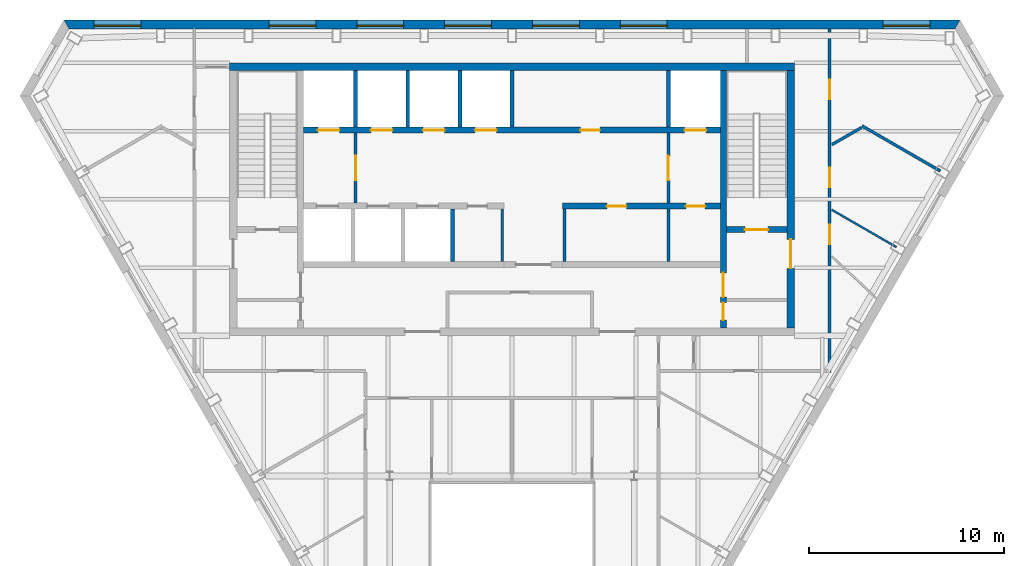
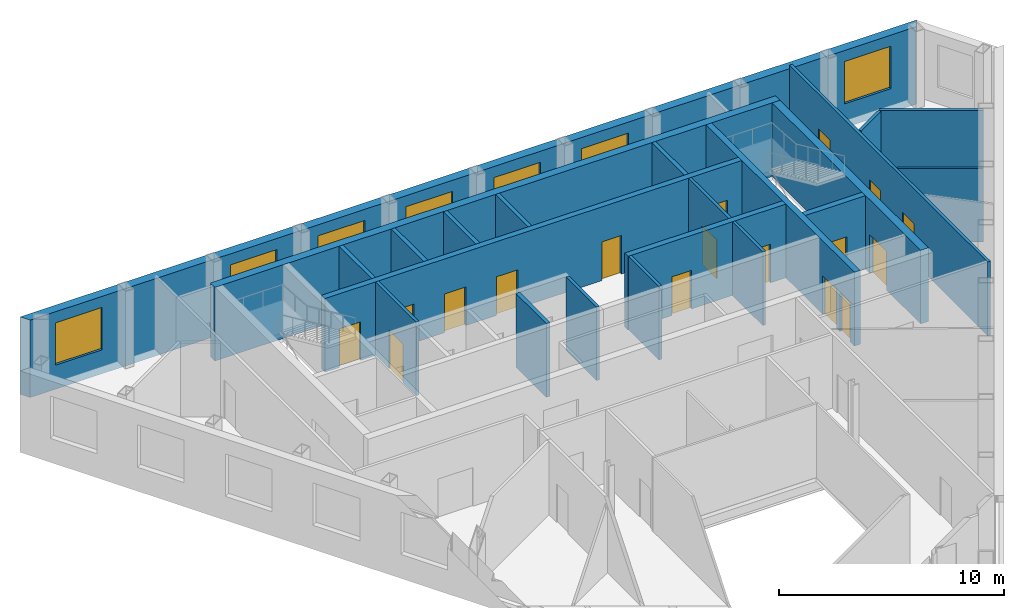
# One storey, part 7 of 11: 22 walls, 17 doors, 7 windows, 24 openings.
"""IFC4 building model written with IfcOpenShell, lengths in metres."""

from ifc_helpers import new_model, si_unit, direction, frame, frame_2d, origin, place, context, subcontext, project, spatial, polyline, rectangle, outline, extrude, material, layer, layer_set, type_object, element, fill, save


model = new_model("IFC4")

# Units and contexts
model_context = context("Model", 3, precision=1e-05, world=origin(), true_north=direction((0.0, 1.0)))
body_context = subcontext(model_context, "Body", "Model", "MODEL_VIEW")
ifc_project = project(units=[si_unit("LENGTHUNIT", "METRE"), si_unit("AREAUNIT", "SQUARE_METRE"), si_unit("VOLUMEUNIT", "CUBIC_METRE"), si_unit("PLANEANGLEUNIT", "RADIAN"), si_unit("MASSUNIT", "GRAM", prefix="KILO")], contexts=[model_context])

# Site, building, storey
site_placement = place(None, origin())
site = spatial("IfcSite", under=ifc_project, at=site_placement, CompositionType="ELEMENT")
building_placement = place(site_placement, origin())
building = spatial("IfcBuilding", under=site, at=building_placement, Name="Njiva Tower", CompositionType="ELEMENT")
storey_placement = place(building_placement, frame((0.0, 0.0, 316.8)))
storey = spatial("IfcBuildingStorey", under=building, at=storey_placement, Name="L72", CompositionType="ELEMENT", Elevation=316.8)

# Walls
ifc_material_1 = material(Name="Blockwork", Category="masonry")
ifc_layer_1 = layer(ifc_material_1, 0.15)
ifc_layer_set_1 = layer_set([ifc_layer_1], Name="Blockwork")
wall_type_1 = type_object("IfcWallType", Name="WT1 Compartment partition 150", PredefinedType="PARTITIONING", material=ifc_layer_set_1)
for number, where, z_axis, x_axis, name in (
    (1, (-0.5, 7.8, 0.0), (0.0, 0.0, 1.0), (0.0, 1.0, 0.0), "Partition CS4"),
    (2, (2.7, 7.8, 0.0), (0.0, 0.0, 1.0), (0.0, 1.0, 0.0), "Partition CS5"),
    (3, (8.0333, 7.8, 0.0), (0.0, 0.0, 1.0), (0.0, 1.0, 0.0), "Partition CS7"),
):
    element("IfcWall", number, at=place(storey_placement, frame(where, z_axis=z_axis, x_axis=x_axis)), inside=storey, type_object=wall_type_1, Name=name, PredefinedType="PARTITIONING", context=body_context, shape_type="SweptSolid", body=[
        extrude(rectangle(XDim=2.7, YDim=0.15, at=frame_2d((1.35, 0.0))), origin(), (0.0, 0.0, 1.0), 4.0),
    ])

# Wall, openings, doors
ifc_material_2 = material(Name="Concrete C40/50", Category="concrete")
ifc_layer_2 = layer(ifc_material_2, 0.3)
ifc_layer_set_2 = layer_set([ifc_layer_2], Name="Concrete C40/50")
wall_type_2 = type_object("IfcWallType", Name="WT10 Stair enclosure wall 300", PredefinedType="SHEAR", material=ifc_layer_set_2)
wall_1_placement = place(storey_placement, frame((10.85, 4.4, 0.0), z_axis=(0.0, 0.0, 1.0), x_axis=(0.0, 1.0, 0.0)))
wall_1 = element("IfcWall", 4, at=wall_1_placement, inside=storey, type_object=wall_type_2, Name="Stair wall east inner", PredefinedType="SHEAR", context=body_context, shape_type="SweptSolid", body=[
    extrude(rectangle(XDim=13.2, YDim=0.3, at=frame_2d((6.6, 0.0))), origin(), (0.0, 0.0, 1.0), 4.0),
])
opening_1_placement = place(wall_1_placement, frame((1.575, 0.0, 0.0)))
opening_1 = element("IfcOpeningElement", 5, at=opening_1_placement, cuts=wall_1, Name="Opening S24-D920", PredefinedType="OPENING", context=body_context, shape_type="SweptSolid", body=[
    extrude(rectangle(XDim=1.25, YDim=2.1, at=frame_2d((0.625, 1.05))), frame((0.0, 0.16, 0.0), z_axis=(0.0, -1.0, 0.0), x_axis=(1.0, 0.0, 0.0)), (0.0, 0.0, 1.0), 0.32),
])
opening_2_placement = place(wall_1_placement, frame((0.4, 0.0, 0.0)))
opening_2 = element("IfcOpeningElement", 6, at=opening_2_placement, cuts=wall_1, Name="Opening S24-D922", PredefinedType="OPENING", context=body_context, shape_type="SweptSolid", body=[
    extrude(rectangle(XDim=0.9, YDim=2.1, at=frame_2d((0.45, 1.05))), frame((0.0, 0.16, 0.0), z_axis=(0.0, -1.0, 0.0), x_axis=(1.0, 0.0, 0.0)), (0.0, 0.0, 1.0), 0.32),
])
ifc_material_3 = material(Name="Steel door, painted", Category="steel")
door_type_1 = type_object("IfcDoorType", Name="D13 Steel door 900x2100", OperationType="SINGLE_SWING_LEFT", PredefinedType="DOOR", material=ifc_material_3)
door_1_placement = place(opening_2_placement, origin())
door_1 = element("IfcDoor", 7, at=door_1_placement, inside=storey, type_object=door_type_1, Name="Quiet room door", OperationType="SINGLE_SWING_LEFT", OverallHeight=2.1, OverallWidth=0.9, PredefinedType="DOOR", context=body_context, shape_type="SweptSolid", body=[
    extrude(rectangle(XDim=0.9, YDim=2.1, at=frame_2d((0.45, 1.05))), frame((0.0, 0.025, 0.0), z_axis=(0.0, -1.0, 0.0), x_axis=(1.0, 0.0, 0.0)), (0.0, 0.0, 1.0), 0.05),
])
fill(opening_2, door_1)
ifc_material_4 = material(Name="Glazed steel fire door", Category="steel")
door_type_2 = type_object("IfcDoorType", Name="D8 Vestibule corridor door 1250x2100 glazed", OperationType="SINGLE_SWING_LEFT", PredefinedType="DOOR", material=ifc_material_4)
door_2_placement = place(opening_1_placement, origin())
door_2 = element("IfcDoor", 8, at=door_2_placement, inside=storey, type_object=door_type_2, Name="Stair vestibule corridor door", OperationType="SINGLE_SWING_RIGHT", OverallHeight=2.1, OverallWidth=1.25, PredefinedType="DOOR", context=body_context, shape_type="SweptSolid", body=[
    extrude(rectangle(XDim=1.25, YDim=2.1, at=frame_2d((0.625, 1.05))), frame((0.0, 0.025, 0.0), z_axis=(0.0, -1.0, 0.0), x_axis=(1.0, 0.0, 0.0)), (0.0, 0.0, 1.0), 0.05),
])
fill(opening_1, door_2)

# Wall, opening, door
wall_2_placement = place(storey_placement, frame((11.0, 9.45, 0.0), z_axis=(0.0, 0.0, 1.0), x_axis=(1.0, 0.0, 0.0)))
wall_2 = element("IfcWall", 9, at=wall_2_placement, inside=storey, type_object=wall_type_2, Name="Stair B south wall", PredefinedType="SHEAR", context=body_context, shape_type="SweptSolid", body=[
    extrude(rectangle(XDim=3.1, YDim=0.3, at=frame_2d((1.55, 0.0))), origin(), (0.0, 0.0, 1.0), 4.0),
])
opening_3_placement = place(wall_2_placement, frame((0.95, 0.0, 0.0)))
opening_3 = element("IfcOpeningElement", 10, at=opening_3_placement, cuts=wall_2, Name="Opening S24-D919", PredefinedType="OPENING", context=body_context, shape_type="SweptSolid", body=[
    extrude(rectangle(XDim=1.2, YDim=2.1, at=frame_2d((0.6, 1.05))), frame((0.0, 0.16, 0.0), z_axis=(0.0, -1.0, 0.0), x_axis=(1.0, 0.0, 0.0)), (0.0, 0.0, 1.0), 0.32),
])
door_type_3 = type_object("IfcDoorType", Name="D7 Stair vestibule door 1200x2100 glazed", OperationType="SINGLE_SWING_LEFT", PredefinedType="DOOR", material=ifc_material_4)
door_3_placement = place(opening_3_placement, origin())
door_3 = element("IfcDoor", 11, at=door_3_placement, inside=storey, type_object=door_type_3, Name="Stair B door", OperationType="SINGLE_SWING_LEFT", OverallHeight=2.1, OverallWidth=1.2, PredefinedType="DOOR", context=body_context, shape_type="SweptSolid", body=[
    extrude(rectangle(XDim=1.2, YDim=2.1, at=frame_2d((0.6, 1.05))), frame((0.0, 0.025, 0.0), z_axis=(0.0, -1.0, 0.0), x_axis=(1.0, 0.0, 0.0)), (0.0, 0.0, 1.0), 0.05),
])
fill(opening_3, door_3)

# Wall
ifc_material_5 = material(Name="Concrete C60/75", Category="concrete")
ifc_layer_3 = layer(ifc_material_5, 0.4)
ifc_layer_set_3 = layer_set([ifc_layer_3], Name="Concrete C60/75")
wall_type_3 = type_object("IfcWallType", Name="WT11 Core wall 400", PredefinedType="SHEAR", material=ifc_layer_set_3)
wall_3_placement = place(storey_placement, frame((-14.5, 17.8, 0.0), z_axis=(0.0, 0.0, 1.0), x_axis=(1.0, 0.0, 0.0)))
element("IfcWall", 12, at=wall_3_placement, inside=storey, type_object=wall_type_3, Name="Core wall north", PredefinedType="SHEAR", context=body_context, shape_type="SweptSolid", body=[
    extrude(rectangle(XDim=29.0, YDim=0.4, at=frame_2d((14.5, 0.0))), origin(), (0.0, 0.0, 1.0), 4.0),
])

# Wall, opening, door
wall_4_placement = place(storey_placement, frame((14.3, 4.4, 0.0), z_axis=(0.0, 0.0, 1.0), x_axis=(0.0, 1.0, 0.0)))
wall_4 = element("IfcWall", 13, at=wall_4_placement, inside=storey, type_object=wall_type_3, Name="Core wall east", PredefinedType="SHEAR", context=body_context, shape_type="SweptSolid", body=[
    extrude(rectangle(XDim=13.2, YDim=0.4, at=frame_2d((6.6, 0.0))), origin(), (0.0, 0.0, 1.0), 4.0),
])
opening_4_placement = place(wall_4_placement, frame((3.05, 0.0, 0.0)))
opening_4 = element("IfcOpeningElement", 14, at=opening_4_placement, cuts=wall_4, Name="Opening S24-D921", PredefinedType="OPENING", context=body_context, shape_type="SweptSolid", body=[
    extrude(rectangle(XDim=1.5, YDim=2.1, at=frame_2d((0.75, 1.05))), frame((0.0, 0.21, 0.0), z_axis=(0.0, -1.0, 0.0), x_axis=(1.0, 0.0, 0.0)), (0.0, 0.0, 1.0), 0.42),
])
door_type_4 = type_object("IfcDoorType", Name="D10 Exit door double 1500x2100 glazed", OperationType="DOUBLE_DOOR_SINGLE_SWING", PredefinedType="DOOR", material=ifc_material_4)
door_4_placement = place(opening_4_placement, origin())
door_4 = element("IfcDoor", 15, at=door_4_placement, inside=storey, type_object=door_type_4, Name="Stair B corridor door", OperationType="DOUBLE_DOOR_SINGLE_SWING", OverallHeight=2.1, OverallWidth=1.5, PredefinedType="DOOR", context=body_context, shape_type="SweptSolid", body=[
    extrude(rectangle(XDim=1.5, YDim=2.1, at=frame_2d((0.75, 1.05))), frame((0.0, 0.025, 0.0), z_axis=(0.0, -1.0, 0.0), x_axis=(1.0, 0.0, 0.0)), (0.0, 0.0, 1.0), 0.05),
])
fill(opening_4, door_4)

ifc_layer_4 = layer(ifc_material_1, 0.15)
ifc_layer_set_4 = layer_set([ifc_layer_4], Name="Blockwork")
wall_type_4 = type_object("IfcWallType", Name="WT2 Lobby partition 150", PredefinedType="PARTITIONING", material=ifc_layer_set_4)
wall_5_placement = place(storey_placement, frame((-8.025, 10.8, 0.0), z_axis=(0.0, 0.0, 1.0), x_axis=(0.0, 1.0, 0.0)))
wall_5 = element("IfcWall", 16, at=wall_5_placement, inside=storey, type_object=wall_type_4, Name="Firefighting lobby wall A", PredefinedType="PARTITIONING", context=body_context, shape_type="SweptSolid", body=[
    extrude(rectangle(XDim=3.6, YDim=0.15, at=frame_2d((1.8, 0.0))), origin(), (0.0, 0.0, 1.0), 4.0),
])
opening_5_placement = place(wall_5_placement, frame((1.175, 0.0, 0.0)))
opening_5 = element("IfcOpeningElement", 17, at=opening_5_placement, cuts=wall_5, Name="Opening S24-D913", PredefinedType="OPENING", context=body_context, shape_type="SweptSolid", body=[
    extrude(rectangle(XDim=1.25, YDim=2.1, at=frame_2d((0.625, 1.05))), frame((0.0, 0.085, 0.0), z_axis=(0.0, -1.0, 0.0), x_axis=(1.0, 0.0, 0.0)), (0.0, 0.0, 1.0), 0.17),
])
door_5_placement = place(opening_5_placement, origin())
door_5 = element("IfcDoor", 18, at=door_5_placement, inside=storey, type_object=door_type_2, Name="Stair vestibule corridor door", OperationType="SINGLE_SWING_RIGHT", OverallHeight=2.1, OverallWidth=1.25, PredefinedType="DOOR", context=body_context, shape_type="SweptSolid", body=[
    extrude(rectangle(XDim=1.25, YDim=2.1, at=frame_2d((0.625, 1.05))), frame((0.0, 0.025, 0.0), z_axis=(0.0, -1.0, 0.0), x_axis=(1.0, 0.0, 0.0)), (0.0, 0.0, 1.0), 0.05),
])
fill(opening_5, door_5)

wall_6_placement = place(storey_placement, frame((8.025, 10.8, 0.0), z_axis=(0.0, 0.0, 1.0), x_axis=(0.0, 1.0, 0.0)))
wall_6 = element("IfcWall", 19, at=wall_6_placement, inside=storey, type_object=wall_type_4, Name="Firefighting lobby wall B", PredefinedType="PARTITIONING", context=body_context, shape_type="SweptSolid", body=[
    extrude(rectangle(XDim=3.6, YDim=0.15, at=frame_2d((1.8, 0.0))), origin(), (0.0, 0.0, 1.0), 4.0),
])
opening_6_placement = place(wall_6_placement, frame((1.175, 0.0, 0.0)))
opening_6 = element("IfcOpeningElement", 20, at=opening_6_placement, cuts=wall_6, Name="Opening S24-D918", PredefinedType="OPENING", context=body_context, shape_type="SweptSolid", body=[
    extrude(rectangle(XDim=1.25, YDim=2.1, at=frame_2d((0.625, 1.05))), frame((0.0, 0.085, 0.0), z_axis=(0.0, -1.0, 0.0), x_axis=(1.0, 0.0, 0.0)), (0.0, 0.0, 1.0), 0.17),
])
door_6_placement = place(opening_6_placement, origin())
door_6 = element("IfcDoor", 21, at=door_6_placement, inside=storey, type_object=door_type_2, Name="Stair vestibule corridor door", OperationType="SINGLE_SWING_LEFT", OverallHeight=2.1, OverallWidth=1.25, PredefinedType="DOOR", context=body_context, shape_type="SweptSolid", body=[
    extrude(rectangle(XDim=1.25, YDim=2.1, at=frame_2d((0.625, 1.05))), frame((0.0, 0.025, 0.0), z_axis=(0.0, -1.0, 0.0), x_axis=(1.0, 0.0, 0.0)), (0.0, 0.0, 1.0), 0.05),
])
fill(opening_6, door_6)

# Wall
ifc_material_6 = material(Name="Gypsum board on steel studs", Category="gypsum")
ifc_layer_5 = layer(ifc_material_6, 0.1)
ifc_layer_set_5 = layer_set([ifc_layer_5], Name="Gypsum board on steel studs")
wall_type_5 = type_object("IfcWallType", Name="WT20 Gypsum partition 100", PredefinedType="PARTITIONING", material=ifc_layer_set_5)
wall_7_placement = place(storey_placement, frame((16.4, 10.468, 0.0), z_axis=(0.0, 0.0, 1.0), x_axis=(0.866072919292, -0.499917691695, 0.0)))
element("IfcWall", 22, at=wall_7_placement, inside=storey, type_object=wall_type_5, Name="Partition S24-P027", PredefinedType="PARTITIONING", context=body_context, shape_type="SweptSolid", body=[
    extrude(rectangle(XDim=3.8426, YDim=0.1, at=frame_2d((1.9213, 0.0))), origin(), (0.0, 0.0, 1.0), 4.0),
])

# Wall, openings, doors
ifc_layer_6 = layer(ifc_material_6, 0.15)
ifc_layer_set_6 = layer_set([ifc_layer_6], Name="Gypsum board on steel studs")
wall_type_6 = type_object("IfcWallType", Name="WT21 Compartment wall 150", PredefinedType="PARTITIONING", material=ifc_layer_set_6)
wall_8_placement = place(storey_placement, frame((16.3, 2.125, 0.0), z_axis=(0.0, 0.0, 1.0), x_axis=(0.0, 1.0, 0.0)))
wall_8 = element("IfcWall", 23, at=wall_8_placement, inside=storey, type_object=wall_type_6, Name="Partition S24-P026", PredefinedType="PARTITIONING", context=body_context, shape_type="SweptSolid", body=[
    extrude(rectangle(XDim=17.623, YDim=0.15, at=frame_2d((8.8115, 0.0))), origin(), (0.0, 0.0, 1.0), 4.0),
])
opening_7_placement = place(wall_8_placement, frame((6.567, 0.0, 0.0)))
opening_7 = element("IfcOpeningElement", 24, at=opening_7_placement, cuts=wall_8, Name="Opening S24-D018", PredefinedType="OPENING", context=body_context, shape_type="SweptSolid", body=[
    extrude(rectangle(XDim=1.0, YDim=2.1, at=frame_2d((0.5, 1.05))), frame((0.0, 0.085, 0.0), z_axis=(0.0, -1.0, 0.0), x_axis=(1.0, 0.0, 0.0)), (0.0, 0.0, 1.0), 0.17),
])
opening_8_placement = place(wall_8_placement, frame((9.506, 0.0, 0.0)))
opening_8 = element("IfcOpeningElement", 25, at=opening_8_placement, cuts=wall_8, Name="Opening S24-D019", PredefinedType="OPENING", context=body_context, shape_type="SweptSolid", body=[
    extrude(rectangle(XDim=1.0, YDim=2.1, at=frame_2d((0.5, 1.05))), frame((0.0, 0.085, 0.0), z_axis=(0.0, -1.0, 0.0), x_axis=(1.0, 0.0, 0.0)), (0.0, 0.0, 1.0), 0.17),
])
opening_9_placement = place(wall_8_placement, frame((14.018, 0.0, 0.0)))
opening_9 = element("IfcOpeningElement", 26, at=opening_9_placement, cuts=wall_8, Name="Opening S24-D020", PredefinedType="OPENING", context=body_context, shape_type="SweptSolid", body=[
    extrude(rectangle(XDim=1.0, YDim=2.1, at=frame_2d((0.5, 1.05))), frame((0.0, 0.085, 0.0), z_axis=(0.0, -1.0, 0.0), x_axis=(1.0, 0.0, 0.0)), (0.0, 0.0, 1.0), 0.17),
])
ifc_material_7 = material(Name="Steel fire door set", Category="steel")
door_type_5 = type_object("IfcDoorType", Name="D37 Fire door 1000x2100", OperationType="SINGLE_SWING_LEFT", PredefinedType="DOOR", material=ifc_material_7)
door_7_placement = place(opening_7_placement, origin())
door_7 = element("IfcDoor", 27, at=door_7_placement, inside=storey, type_object=door_type_5, Name="Door S24-D018", OperationType="SINGLE_SWING_LEFT", OverallHeight=2.1, OverallWidth=1.0, PredefinedType="DOOR", context=body_context, shape_type="SweptSolid", body=[
    extrude(rectangle(XDim=1.0, YDim=2.1, at=frame_2d((0.5, 1.05))), frame((0.0, 0.025, 0.0), z_axis=(0.0, -1.0, 0.0), x_axis=(1.0, 0.0, 0.0)), (0.0, 0.0, 1.0), 0.05),
])
fill(opening_7, door_7)
door_8_placement = place(opening_8_placement, origin())
door_8 = element("IfcDoor", 28, at=door_8_placement, inside=storey, type_object=door_type_5, Name="Door S24-D019", OperationType="SINGLE_SWING_RIGHT", OverallHeight=2.1, OverallWidth=1.0, PredefinedType="DOOR", context=body_context, shape_type="SweptSolid", body=[
    extrude(rectangle(XDim=1.0, YDim=2.1, at=frame_2d((0.5, 1.05))), frame((0.0, 0.025, 0.0), z_axis=(0.0, -1.0, 0.0), x_axis=(1.0, 0.0, 0.0)), (0.0, 0.0, 1.0), 0.05),
])
fill(opening_8, door_8)
door_9_placement = place(opening_9_placement, origin())
door_9 = element("IfcDoor", 29, at=door_9_placement, inside=storey, type_object=door_type_5, Name="Door S24-D020", OperationType="SINGLE_SWING_RIGHT", OverallHeight=2.1, OverallWidth=1.0, PredefinedType="DOOR", context=body_context, shape_type="SweptSolid", body=[
    extrude(rectangle(XDim=1.0, YDim=2.1, at=frame_2d((0.5, 1.05))), frame((0.0, 0.025, 0.0), z_axis=(0.0, -1.0, 0.0), x_axis=(1.0, 0.0, 0.0)), (0.0, 0.0, 1.0), 0.05),
])
fill(opening_9, door_9)

# Walls
wall_9_placement = place(storey_placement, frame((16.412, 13.804, 0.0), z_axis=(0.0, 0.0, 1.0), x_axis=(0.86662990323, 0.498951511499, 0.0)))
element("IfcWall", 30, at=wall_9_placement, inside=storey, type_object=wall_type_6, Name="Partition S24-P029", PredefinedType="PARTITIONING", context=body_context, shape_type="SweptSolid", body=[
    extrude(rectangle(XDim=1.7597, YDim=0.15, at=frame_2d((0.8798, 0.0))), origin(), (0.0, 0.0, 1.0), 4.0),
])
wall_10_placement = place(storey_placement, frame((17.961, 14.77, 0.0), z_axis=(0.0, 0.0, 1.0), x_axis=(0.866260894491, -0.499591896127, 0.0)))
element("IfcWall", 31, at=wall_10_placement, inside=storey, type_object=wall_type_6, Name="Partition S24-P030", PredefinedType="PARTITIONING", context=body_context, shape_type="SweptSolid", body=[
    extrude(rectangle(XDim=4.6418, YDim=0.15, at=frame_2d((2.3209, 0.0))), origin(), (0.0, 0.0, 1.0), 4.0),
])
ifc_layer_7 = layer(ifc_material_2, 0.2)
ifc_layer_set_7 = layer_set([ifc_layer_7], Name="Concrete C40/50")
wall_type_7 = type_object("IfcWallType", Name="WT6 Lift shaft wall 200", PredefinedType="SHEAR", material=ifc_layer_set_7)
for number, where, z_axis, x_axis, name in (
    (32, (-8.025, 14.7, 0.0), (0.0, 0.0, 1.0), (0.0, 1.0, 0.0), "Shaft wall CN1"),
    (33, (-5.35, 14.7, 0.0), (0.0, 0.0, 1.0), (0.0, 1.0, 0.0), "Shaft wall CN2"),
    (34, (-2.675, 14.7, 0.0), (0.0, 0.0, 1.0), (0.0, 1.0, 0.0), "Shaft wall CN3"),
    (35, (0.0, 14.7, 0.0), (0.0, 0.0, 1.0), (0.0, 1.0, 0.0), "Shaft wall CN4"),
    (36, (8.025, 14.7, 0.0), (0.0, 0.0, 1.0), (0.0, 1.0, 0.0), "Shaft wall CN7"),
):
    element("IfcWall", number, at=place(storey_placement, frame(where, z_axis=z_axis, x_axis=x_axis)), inside=storey, type_object=wall_type_7, Name=name, PredefinedType="SHEAR", context=body_context, shape_type="SweptSolid", body=[
        extrude(rectangle(XDim=2.9, YDim=0.2, at=frame_2d((1.45, 0.0))), origin(), (0.0, 0.0, 1.0), 4.0),
    ])
wall_11_placement = place(storey_placement, frame((-3.05, 7.8, 0.0), z_axis=(0.0, 0.0, 1.0), x_axis=(0.0, 1.0, 0.0)))
element("IfcWall", 37, at=wall_11_placement, inside=storey, type_object=wall_type_7, Name="Shaft wall CS3", PredefinedType="SHEAR", context=body_context, shape_type="SweptSolid", body=[
    extrude(rectangle(XDim=2.7, YDim=0.2, at=frame_2d((1.35, 0.0))), origin(), (0.0, 0.0, 1.0), 4.0),
])

# Wall, openings, doors
ifc_layer_8 = layer(ifc_material_2, 0.3)
ifc_layer_set_8 = layer_set([ifc_layer_8], Name="Concrete C40/50")
wall_type_8 = type_object("IfcWallType", Name="WT7 Lift shaft wall 300", PredefinedType="SHEAR", material=ifc_layer_set_8)
wall_12_placement = place(storey_placement, frame((-10.7, 14.55, 0.0), z_axis=(0.0, 0.0, 1.0), x_axis=(1.0, 0.0, 0.0)))
wall_12 = element("IfcWall", 38, at=wall_12_placement, inside=storey, type_object=wall_type_8, Name="Shaft wall north row lobby side", PredefinedType="SHEAR", context=body_context, shape_type="SweptSolid", body=[
    extrude(rectangle(XDim=21.4, YDim=0.3, at=frame_2d((10.7, 0.0))), origin(), (0.0, 0.0, 1.0), 4.0),
])
opening_10_placement = place(wall_12_placement, frame((0.7375, 0.0, 0.0)))
opening_10 = element("IfcOpeningElement", 39, at=opening_10_placement, cuts=wall_12, Name="Opening S24-D901", PredefinedType="OPENING", context=body_context, shape_type="SweptSolid", body=[
    extrude(rectangle(XDim=1.1, YDim=2.1, at=frame_2d((0.55, 1.05))), frame((0.0, 0.16, 0.0), z_axis=(0.0, -1.0, 0.0), x_axis=(1.0, 0.0, 0.0)), (0.0, 0.0, 1.0), 0.32),
])
opening_11_placement = place(wall_12_placement, frame((3.4625, 0.0, 0.0)))
opening_11 = element("IfcOpeningElement", 40, at=opening_11_placement, cuts=wall_12, Name="Opening S24-D902", PredefinedType="OPENING", context=body_context, shape_type="SweptSolid", body=[
    extrude(rectangle(XDim=1.1, YDim=2.1, at=frame_2d((0.55, 1.05))), frame((0.0, 0.16, 0.0), z_axis=(0.0, -1.0, 0.0), x_axis=(1.0, 0.0, 0.0)), (0.0, 0.0, 1.0), 0.32),
])
opening_12_placement = place(wall_12_placement, frame((6.1375, 0.0, 0.0)))
opening_12 = element("IfcOpeningElement", 41, at=opening_12_placement, cuts=wall_12, Name="Opening S24-D903", PredefinedType="OPENING", context=body_context, shape_type="SweptSolid", body=[
    extrude(rectangle(XDim=1.1, YDim=2.1, at=frame_2d((0.55, 1.05))), frame((0.0, 0.16, 0.0), z_axis=(0.0, -1.0, 0.0), x_axis=(1.0, 0.0, 0.0)), (0.0, 0.0, 1.0), 0.32),
])
opening_13_placement = place(wall_12_placement, frame((8.8125, 0.0, 0.0)))
opening_13 = element("IfcOpeningElement", 42, at=opening_13_placement, cuts=wall_12, Name="Opening S24-D904", PredefinedType="OPENING", context=body_context, shape_type="SweptSolid", body=[
    extrude(rectangle(XDim=1.1, YDim=2.1, at=frame_2d((0.55, 1.05))), frame((0.0, 0.16, 0.0), z_axis=(0.0, -1.0, 0.0), x_axis=(1.0, 0.0, 0.0)), (0.0, 0.0, 1.0), 0.32),
])
opening_14_placement = place(wall_12_placement, frame((19.5625, 0.0, 0.0)))
opening_14 = element("IfcOpeningElement", 43, at=opening_14_placement, cuts=wall_12, Name="Opening S24-D905", PredefinedType="OPENING", context=body_context, shape_type="SweptSolid", body=[
    extrude(rectangle(XDim=1.1, YDim=2.1, at=frame_2d((0.55, 1.05))), frame((0.0, 0.16, 0.0), z_axis=(0.0, -1.0, 0.0), x_axis=(1.0, 0.0, 0.0)), (0.0, 0.0, 1.0), 0.32),
])
opening_15_placement = place(wall_12_placement, frame((14.2125, 0.0, 0.0)))
opening_15 = element("IfcOpeningElement", 44, at=opening_15_placement, cuts=wall_12, Name="Opening S24-D909", PredefinedType="OPENING", context=body_context, shape_type="SweptSolid", body=[
    extrude(rectangle(XDim=1.0, YDim=2.1, at=frame_2d((0.5, 1.05))), frame((0.0, 0.16, 0.0), z_axis=(0.0, -1.0, 0.0), x_axis=(1.0, 0.0, 0.0)), (0.0, 0.0, 1.0), 0.32),
])
door_type_6 = type_object("IfcDoorType", Name="D5 Steel door 1000x2100", OperationType="SINGLE_SWING_LEFT", PredefinedType="DOOR", material=ifc_material_3)
door_10_placement = place(opening_15_placement, origin())
door_10 = element("IfcDoor", 45, at=door_10_placement, inside=storey, type_object=door_type_6, Name="Meeting room door", OperationType="SINGLE_SWING_LEFT", OverallHeight=2.1, OverallWidth=1.0, PredefinedType="DOOR", context=body_context, shape_type="SweptSolid", body=[
    extrude(rectangle(XDim=1.0, YDim=2.1, at=frame_2d((0.5, 1.05))), frame((0.0, 0.025, 0.0), z_axis=(0.0, -1.0, 0.0), x_axis=(1.0, 0.0, 0.0)), (0.0, 0.0, 1.0), 0.05),
])
fill(opening_15, door_10)
ifc_material_8 = material(Name="Stainless steel sliding door", Category="steel")
door_type_7 = type_object("IfcDoorType", Name="LD Lift landing door 1100x2100", OperationType="SLIDING_TO_LEFT", PredefinedType="DOOR", material=ifc_material_8)
door_11_placement = place(opening_10_placement, origin())
door_11 = element("IfcDoor", 46, at=door_11_placement, inside=storey, type_object=door_type_7, Name="Lift landing door FF1", OperationType="SLIDING_TO_LEFT", OverallHeight=2.1, OverallWidth=1.1, PredefinedType="DOOR", context=body_context, shape_type="SweptSolid", body=[
    extrude(rectangle(XDim=1.1, YDim=2.1, at=frame_2d((0.55, 1.05))), frame((0.0, 0.025, 0.0), z_axis=(0.0, -1.0, 0.0), x_axis=(1.0, 0.0, 0.0)), (0.0, 0.0, 1.0), 0.05),
])
fill(opening_10, door_11)
door_12_placement = place(opening_11_placement, origin())
door_12 = element("IfcDoor", 47, at=door_12_placement, inside=storey, type_object=door_type_7, Name="Lift landing door HB4", OperationType="SLIDING_TO_LEFT", OverallHeight=2.1, OverallWidth=1.1, PredefinedType="DOOR", context=body_context, shape_type="SweptSolid", body=[
    extrude(rectangle(XDim=1.1, YDim=2.1, at=frame_2d((0.55, 1.05))), frame((0.0, 0.025, 0.0), z_axis=(0.0, -1.0, 0.0), x_axis=(1.0, 0.0, 0.0)), (0.0, 0.0, 1.0), 0.05),
])
fill(opening_11, door_12)
door_13_placement = place(opening_12_placement, origin())
door_13 = element("IfcDoor", 48, at=door_13_placement, inside=storey, type_object=door_type_7, Name="Lift landing door HB5", OperationType="SLIDING_TO_LEFT", OverallHeight=2.1, OverallWidth=1.1, PredefinedType="DOOR", context=body_context, shape_type="SweptSolid", body=[
    extrude(rectangle(XDim=1.1, YDim=2.1, at=frame_2d((0.55, 1.05))), frame((0.0, 0.025, 0.0), z_axis=(0.0, -1.0, 0.0), x_axis=(1.0, 0.0, 0.0)), (0.0, 0.0, 1.0), 0.05),
])
fill(opening_12, door_13)
door_14_placement = place(opening_13_placement, origin())
door_14 = element("IfcDoor", 49, at=door_14_placement, inside=storey, type_object=door_type_7, Name="Lift landing door HB6", OperationType="SLIDING_TO_LEFT", OverallHeight=2.1, OverallWidth=1.1, PredefinedType="DOOR", context=body_context, shape_type="SweptSolid", body=[
    extrude(rectangle(XDim=1.1, YDim=2.1, at=frame_2d((0.55, 1.05))), frame((0.0, 0.025, 0.0), z_axis=(0.0, -1.0, 0.0), x_axis=(1.0, 0.0, 0.0)), (0.0, 0.0, 1.0), 0.05),
])
fill(opening_13, door_14)
door_15_placement = place(opening_14_placement, origin())
door_15 = element("IfcDoor", 50, at=door_15_placement, inside=storey, type_object=door_type_7, Name="Lift landing door FF2", OperationType="SLIDING_TO_LEFT", OverallHeight=2.1, OverallWidth=1.1, PredefinedType="DOOR", context=body_context, shape_type="SweptSolid", body=[
    extrude(rectangle(XDim=1.1, YDim=2.1, at=frame_2d((0.55, 1.05))), frame((0.0, 0.025, 0.0), z_axis=(0.0, -1.0, 0.0), x_axis=(1.0, 0.0, 0.0)), (0.0, 0.0, 1.0), 0.05),
])
fill(opening_14, door_15)

wall_13_placement = place(storey_placement, frame((2.6, 10.65, 0.0), z_axis=(0.0, 0.0, 1.0), x_axis=(1.0, 0.0, 0.0)))
wall_13 = element("IfcWall", 51, at=wall_13_placement, inside=storey, type_object=wall_type_8, Name="Shaft wall south row lobby side E", PredefinedType="SHEAR", context=body_context, shape_type="SweptSolid", body=[
    extrude(rectangle(XDim=8.1, YDim=0.3, at=frame_2d((4.05, 0.0))), origin(), (0.0, 0.0, 1.0), 4.0),
])
opening_16_placement = place(wall_13_placement, frame((2.2667, 0.0, 0.0)))
opening_16 = element("IfcOpeningElement", 52, at=opening_16_placement, cuts=wall_13, Name="Opening S24-D911", PredefinedType="OPENING", context=body_context, shape_type="SweptSolid", body=[
    extrude(rectangle(XDim=1.0, YDim=2.1, at=frame_2d((0.5, 1.05))), frame((0.0, 0.16, 0.0), z_axis=(0.0, -1.0, 0.0), x_axis=(1.0, 0.0, 0.0)), (0.0, 0.0, 1.0), 0.32),
])
opening_17_placement = place(wall_13_placement, frame((6.3167, 0.0, 0.0)))
opening_17 = element("IfcOpeningElement", 53, at=opening_17_placement, cuts=wall_13, Name="Opening S24-D912", PredefinedType="OPENING", context=body_context, shape_type="SweptSolid", body=[
    extrude(rectangle(XDim=1.0, YDim=2.1, at=frame_2d((0.5, 1.05))), frame((0.0, 0.16, 0.0), z_axis=(0.0, -1.0, 0.0), x_axis=(1.0, 0.0, 0.0)), (0.0, 0.0, 1.0), 0.32),
])
door_16_placement = place(opening_16_placement, origin())
door_16 = element("IfcDoor", 54, at=door_16_placement, inside=storey, type_object=door_type_6, Name="Breakout room door", OperationType="SINGLE_SWING_LEFT", OverallHeight=2.1, OverallWidth=1.0, PredefinedType="DOOR", context=body_context, shape_type="SweptSolid", body=[
    extrude(rectangle(XDim=1.0, YDim=2.1, at=frame_2d((0.5, 1.05))), frame((0.0, 0.025, 0.0), z_axis=(0.0, -1.0, 0.0), x_axis=(1.0, 0.0, 0.0)), (0.0, 0.0, 1.0), 0.05),
])
fill(opening_16, door_16)
door_17_placement = place(opening_17_placement, origin())
door_17 = element("IfcDoor", 55, at=door_17_placement, inside=storey, type_object=door_type_6, Name="Telecoms room door", OperationType="SINGLE_SWING_RIGHT", OverallHeight=2.1, OverallWidth=1.0, PredefinedType="DOOR", context=body_context, shape_type="SweptSolid", body=[
    extrude(rectangle(XDim=1.0, YDim=2.1, at=frame_2d((0.5, 1.05))), frame((0.0, 0.025, 0.0), z_axis=(0.0, -1.0, 0.0), x_axis=(1.0, 0.0, 0.0)), (0.0, 0.0, 1.0), 0.05),
])
fill(opening_17, door_17)

# Wall, openings, windows
ifc_material_9 = material(Name="Brick masonry", Category="masonry")
ifc_layer_9 = layer(ifc_material_9, 0.45)
ifc_layer_set_9 = layer_set([ifc_layer_9], Name="Brick masonry")
wall_type_9 = type_object("IfcWallType", Name="WT90 Brick pier and spandrel wall 450", PredefinedType="SOLIDWALL", material=ifc_layer_set_9)
wall_14_placement = place(storey_placement, frame((22.8651, 19.975, -0.4), z_axis=(0.0, 0.0, 1.0), x_axis=(-1.0, 0.0, 0.0)))
wall_14 = element("IfcWall", 56, at=wall_14_placement, inside=storey, type_object=wall_type_9, Name="Facade wall N", PredefinedType="SOLIDWALL", context=body_context, shape_type="SweptSolid", body=[
    extrude(outline(polyline([(-0.1299, -0.225), (45.8601, -0.225), (45.6003, 0.225), (0.1299, 0.225), (-0.1299, -0.225)])), origin(), (0.0, 0.0, 1.0), 4.2),
])
opening_18_placement = place(wall_14_placement, frame((1.4237, 0.0, 1.3)))
opening_18 = element("IfcOpeningElement", 57, at=opening_18_placement, cuts=wall_14, Name="Opening S24-W01", PredefinedType="OPENING", context=body_context, shape_type="SweptSolid", body=[
    extrude(rectangle(XDim=2.4, YDim=2.3, at=frame_2d((1.2, 1.15))), frame((0.0, 0.235, 0.0), z_axis=(0.0, -1.0, 0.0), x_axis=(1.0, 0.0, 0.0)), (0.0, 0.0, 1.0), 0.47),
])
opening_19_placement = place(wall_14_placement, frame((14.9052, 0.0, 1.3)))
opening_19 = element("IfcOpeningElement", 58, at=opening_19_placement, cuts=wall_14, Name="Opening S24-W02", PredefinedType="OPENING", context=body_context, shape_type="SweptSolid", body=[
    extrude(rectangle(XDim=2.4, YDim=2.3, at=frame_2d((1.2, 1.15))), frame((0.0, 0.235, 0.0), z_axis=(0.0, -1.0, 0.0), x_axis=(1.0, 0.0, 0.0)), (0.0, 0.0, 1.0), 0.47),
])
opening_20_placement = place(wall_14_placement, frame((19.4118, 0.0, 1.3)))
opening_20 = element("IfcOpeningElement", 59, at=opening_20_placement, cuts=wall_14, Name="Opening S24-W03", PredefinedType="OPENING", context=body_context, shape_type="SweptSolid", body=[
    extrude(rectangle(XDim=2.4, YDim=2.3, at=frame_2d((1.2, 1.15))), frame((0.0, 0.235, 0.0), z_axis=(0.0, -1.0, 0.0), x_axis=(1.0, 0.0, 0.0)), (0.0, 0.0, 1.0), 0.47),
])
opening_21_placement = place(wall_14_placement, frame((23.9184, 0.0, 1.3)))
opening_21 = element("IfcOpeningElement", 60, at=opening_21_placement, cuts=wall_14, Name="Opening S24-W04", PredefinedType="OPENING", context=body_context, shape_type="SweptSolid", body=[
    extrude(rectangle(XDim=2.4, YDim=2.3, at=frame_2d((1.2, 1.15))), frame((0.0, 0.235, 0.0), z_axis=(0.0, -1.0, 0.0), x_axis=(1.0, 0.0, 0.0)), (0.0, 0.0, 1.0), 0.47),
])
opening_22_placement = place(wall_14_placement, frame((28.425, 0.0, 1.3)))
opening_22 = element("IfcOpeningElement", 61, at=opening_22_placement, cuts=wall_14, Name="Opening S24-W05", PredefinedType="OPENING", context=body_context, shape_type="SweptSolid", body=[
    extrude(rectangle(XDim=2.4, YDim=2.3, at=frame_2d((1.2, 1.15))), frame((0.0, 0.235, 0.0), z_axis=(0.0, -1.0, 0.0), x_axis=(1.0, 0.0, 0.0)), (0.0, 0.0, 1.0), 0.47),
])
opening_23_placement = place(wall_14_placement, frame((32.9316, 0.0, 1.3)))
opening_23 = element("IfcOpeningElement", 62, at=opening_23_placement, cuts=wall_14, Name="Opening S24-W06", PredefinedType="OPENING", context=body_context, shape_type="SweptSolid", body=[
    extrude(rectangle(XDim=2.4, YDim=2.3, at=frame_2d((1.2, 1.15))), frame((0.0, 0.235, 0.0), z_axis=(0.0, -1.0, 0.0), x_axis=(1.0, 0.0, 0.0)), (0.0, 0.0, 1.0), 0.47),
])
opening_24_placement = place(wall_14_placement, frame((41.9065, 0.0, 1.3)))
opening_24 = element("IfcOpeningElement", 63, at=opening_24_placement, cuts=wall_14, Name="Opening S24-W07", PredefinedType="OPENING", context=body_context, shape_type="SweptSolid", body=[
    extrude(rectangle(XDim=2.4, YDim=2.3, at=frame_2d((1.2, 1.15))), frame((0.0, 0.235, 0.0), z_axis=(0.0, -1.0, 0.0), x_axis=(1.0, 0.0, 0.0)), (0.0, 0.0, 1.0), 0.47),
])
ifc_material_10 = material(Name="Clear glazing in aluminium frame", Category="aluminium")
window_type = type_object("IfcWindowType", Name="W91 Deep-set window 2400x2300", PartitioningType="SINGLE_PANEL", PredefinedType="WINDOW", material=ifc_material_10)
window_1_placement = place(opening_18_placement, origin())
window_1 = element("IfcWindow", 64, at=window_1_placement, inside=storey, type_object=window_type, Name="Window", OverallHeight=2.3, OverallWidth=2.4, PartitioningType="SINGLE_PANEL", PredefinedType="WINDOW", context=body_context, shape_type="SweptSolid", body=[
    extrude(rectangle(XDim=2.4, YDim=2.3, at=frame_2d((1.2, 1.15))), frame((0.0, 0.105, 0.0), z_axis=(0.0, -1.0, 0.0), x_axis=(1.0, 0.0, 0.0)), (0.0, 0.0, 1.0), 0.06),
])
fill(opening_18, window_1)
window_2_placement = place(opening_19_placement, origin())
window_2 = element("IfcWindow", 65, at=window_2_placement, inside=storey, type_object=window_type, Name="Window", OverallHeight=2.3, OverallWidth=2.4, PartitioningType="SINGLE_PANEL", PredefinedType="WINDOW", context=body_context, shape_type="SweptSolid", body=[
    extrude(rectangle(XDim=2.4, YDim=2.3, at=frame_2d((1.2, 1.15))), frame((0.0, 0.105, 0.0), z_axis=(0.0, -1.0, 0.0), x_axis=(1.0, 0.0, 0.0)), (0.0, 0.0, 1.0), 0.06),
])
fill(opening_19, window_2)
window_3_placement = place(opening_20_placement, origin())
window_3 = element("IfcWindow", 66, at=window_3_placement, inside=storey, type_object=window_type, Name="Window", OverallHeight=2.3, OverallWidth=2.4, PartitioningType="SINGLE_PANEL", PredefinedType="WINDOW", context=body_context, shape_type="SweptSolid", body=[
    extrude(rectangle(XDim=2.4, YDim=2.3, at=frame_2d((1.2, 1.15))), frame((0.0, 0.105, 0.0), z_axis=(0.0, -1.0, 0.0), x_axis=(1.0, 0.0, 0.0)), (0.0, 0.0, 1.0), 0.06),
])
fill(opening_20, window_3)
window_4_placement = place(opening_21_placement, origin())
window_4 = element("IfcWindow", 67, at=window_4_placement, inside=storey, type_object=window_type, Name="Window", OverallHeight=2.3, OverallWidth=2.4, PartitioningType="SINGLE_PANEL", PredefinedType="WINDOW", context=body_context, shape_type="SweptSolid", body=[
    extrude(rectangle(XDim=2.4, YDim=2.3, at=frame_2d((1.2, 1.15))), frame((0.0, 0.105, 0.0), z_axis=(0.0, -1.0, 0.0), x_axis=(1.0, 0.0, 0.0)), (0.0, 0.0, 1.0), 0.06),
])
fill(opening_21, window_4)
window_5_placement = place(opening_22_placement, origin())
window_5 = element("IfcWindow", 68, at=window_5_placement, inside=storey, type_object=window_type, Name="Window", OverallHeight=2.3, OverallWidth=2.4, PartitioningType="SINGLE_PANEL", PredefinedType="WINDOW", context=body_context, shape_type="SweptSolid", body=[
    extrude(rectangle(XDim=2.4, YDim=2.3, at=frame_2d((1.2, 1.15))), frame((0.0, 0.105, 0.0), z_axis=(0.0, -1.0, 0.0), x_axis=(1.0, 0.0, 0.0)), (0.0, 0.0, 1.0), 0.06),
])
fill(opening_22, window_5)
window_6_placement = place(opening_23_placement, origin())
window_6 = element("IfcWindow", 69, at=window_6_placement, inside=storey, type_object=window_type, Name="Window", OverallHeight=2.3, OverallWidth=2.4, PartitioningType="SINGLE_PANEL", PredefinedType="WINDOW", context=body_context, shape_type="SweptSolid", body=[
    extrude(rectangle(XDim=2.4, YDim=2.3, at=frame_2d((1.2, 1.15))), frame((0.0, 0.105, 0.0), z_axis=(0.0, -1.0, 0.0), x_axis=(1.0, 0.0, 0.0)), (0.0, 0.0, 1.0), 0.06),
])
fill(opening_23, window_6)
window_7_placement = place(opening_24_placement, origin())
window_7 = element("IfcWindow", 70, at=window_7_placement, inside=storey, type_object=window_type, Name="Window", OverallHeight=2.3, OverallWidth=2.4, PartitioningType="SINGLE_PANEL", PredefinedType="WINDOW", context=body_context, shape_type="SweptSolid", body=[
    extrude(rectangle(XDim=2.4, YDim=2.3, at=frame_2d((1.2, 1.15))), frame((0.0, 0.105, 0.0), z_axis=(0.0, -1.0, 0.0), x_axis=(1.0, 0.0, 0.0)), (0.0, 0.0, 1.0), 0.06),
])
fill(opening_24, window_7)

save(model, "model.ifc")
